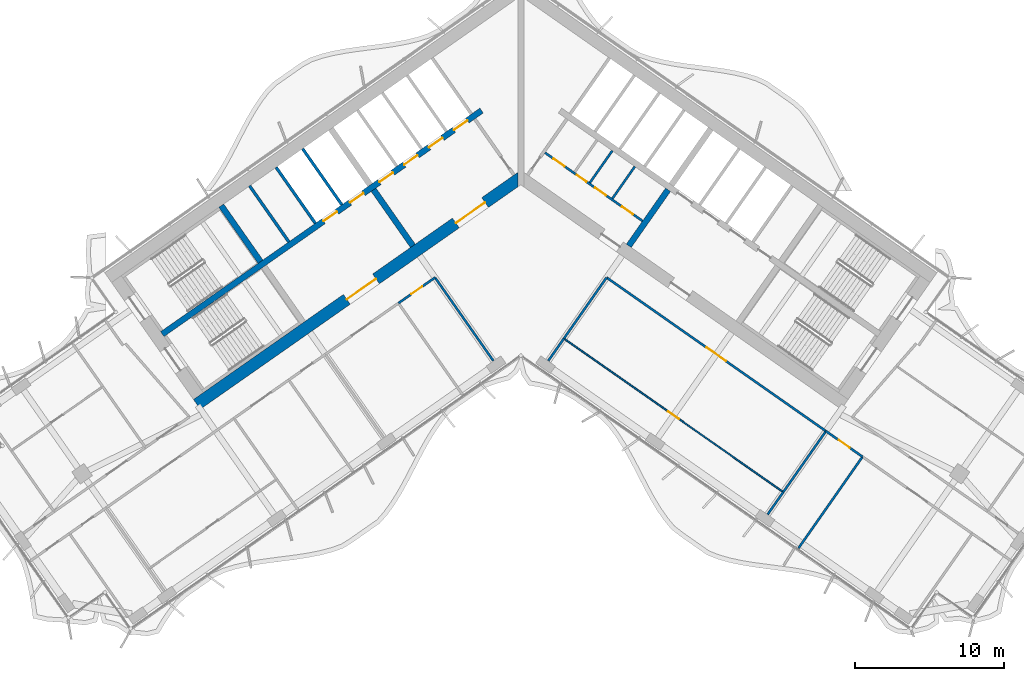
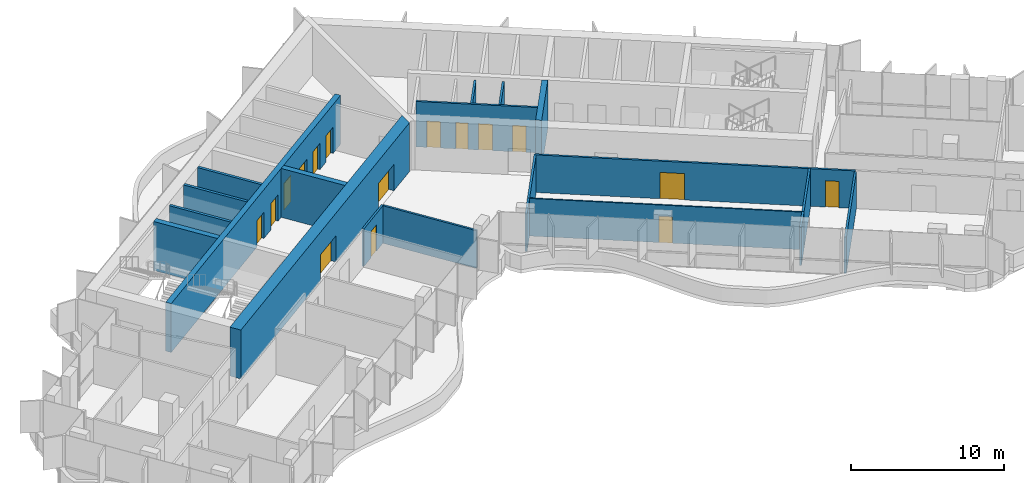
# One storey, part 15 of 23: 21 walls, 16 doors, 16 openings.
"""IFC4 building model written with IfcOpenShell, lengths in metres."""

from ifc_helpers import new_model, si_unit, direction, frame, frame_2d, origin, place, context, subcontext, project, spatial, polyline, rectangle, outline, extrude, material, layer, layer_set, type_object, element, fill, save


model = new_model("IFC4")

# Units and contexts
model_context = context("Model", 3, precision=1e-05, world=origin(), true_north=direction((0.0, 1.0)))
body_context = subcontext(model_context, "Body", "Model", "MODEL_VIEW")
ifc_project = project(units=[si_unit("LENGTHUNIT", "METRE"), si_unit("AREAUNIT", "SQUARE_METRE"), si_unit("VOLUMEUNIT", "CUBIC_METRE"), si_unit("PLANEANGLEUNIT", "RADIAN"), si_unit("MASSUNIT", "GRAM", prefix="KILO")], contexts=[model_context])

# Site, building, storey
site_placement = place(None, origin())
site = spatial("IfcSite", under=ifc_project, at=site_placement, CompositionType="ELEMENT")
building_placement = place(site_placement, origin())
building = spatial("IfcBuilding", under=site, at=building_placement, Name="Tel Ilan Convention Tower", CompositionType="ELEMENT")
storey_placement = place(building_placement, frame((0.0, 0.0, 182.699951171875)))
storey = spatial("IfcBuildingStorey", under=building, at=storey_placement, Name="L42", CompositionType="ELEMENT", Elevation=182.699951171875)

# Wall, openings, doors
ifc_material_1 = material(Name="Gypsum Plasterboard on Steel Stud", Category="steel")
ifc_layer_1 = layer(ifc_material_1, 0.14990234375)
ifc_layer_set_1 = layer_set([ifc_layer_1], Name="Core Room Partition Wall 150 mm EI 60")
wall_type_1 = type_object("IfcWallType", Name="Core Room Partition Wall 150 mm EI 60", PredefinedType="PARTITIONING", material=ifc_layer_set_1)
wall_1_placement = place(storey_placement, frame((1.63037109375, 0.93359375, 0.0), z_axis=(0.0, 0.0, 1.0), x_axis=(0.819165963305, -0.573556557423, 0.0)))
wall_1 = element("IfcWall", 1, at=wall_1_placement, inside=storey, type_object=wall_type_1, Name="L42 core wall wc-h1", PredefinedType="PARTITIONING", context=body_context, shape_type="SweptSolid", body=[
    extrude(rectangle(XDim=7.999755859375, YDim=0.14990234375, at=frame_2d((4.0, 0.0))), origin(), (0.0, 0.0, 1.0), 3.6201171875),
])
opening_1_placement = place(wall_1_placement, frame((0.699951171875, 0.0, 0.0)))
opening_1 = element("IfcOpeningElement", 2, at=opening_1_placement, cuts=wall_1, Name="Opening CD3210", PredefinedType="OPENING", context=body_context, shape_type="SweptSolid", body=[
    extrude(rectangle(XDim=0.89990234375, YDim=2.10009765625, at=frame_2d((0.449951171875, 1.050048828125))), frame((0.0, 0.0849609375, 0.0), z_axis=(0.0, -1.0, 0.0), x_axis=(1.0, 0.0, 0.0)), (0.0, 0.0, 1.0), 0.169921875),
])
opening_2_placement = place(wall_1_placement, frame((2.60009765625, 0.0, 0.0)))
opening_2 = element("IfcOpeningElement", 3, at=opening_2_placement, cuts=wall_1, Name="Opening CD3209", PredefinedType="OPENING", context=body_context, shape_type="SweptSolid", body=[
    extrude(rectangle(XDim=0.800048828125, YDim=2.10009765625, at=frame_2d((0.39990234375, 1.050048828125))), frame((0.0, 0.0849609375, 0.0), z_axis=(0.0, -1.0, 0.0), x_axis=(1.0, 0.0, 0.0)), (0.0, 0.0, 1.0), 0.169921875),
])
opening_3_placement = place(wall_1_placement, frame((4.10009765625, 0.0, 0.0)))
opening_3 = element("IfcOpeningElement", 4, at=opening_3_placement, cuts=wall_1, Name="Opening CD3208", PredefinedType="OPENING", context=body_context, shape_type="SweptSolid", body=[
    extrude(rectangle(XDim=0.89990234375, YDim=2.10009765625, at=frame_2d((0.449951171875, 1.050048828125))), frame((0.0, 0.0849609375, 0.0), z_axis=(0.0, -1.0, 0.0), x_axis=(1.0, 0.0, 0.0)), (0.0, 0.0, 1.0), 0.169921875),
])
opening_4_placement = place(wall_1_placement, frame((6.324951171875, 0.0, 0.0)))
opening_4 = element("IfcOpeningElement", 5, at=opening_4_placement, cuts=wall_1, Name="Opening CD3211", PredefinedType="OPENING", context=body_context, shape_type="SweptSolid", body=[
    extrude(rectangle(XDim=0.89990234375, YDim=2.10009765625, at=frame_2d((0.449951171875, 1.050048828125))), frame((0.0, 0.0849609375, 0.0), z_axis=(0.0, -1.0, 0.0), x_axis=(1.0, 0.0, 0.0)), (0.0, 0.0, 1.0), 0.169921875),
])
ifc_material_2 = material(Name="Galvanised Steel Door Leaf", Category="steel")
door_type_1 = type_object("IfcDoorType", Name="Store Door 800 x 2100 FD60", OperationType="NOTDEFINED", PredefinedType="DOOR", material=ifc_material_2)
door_1_placement = place(opening_2_placement, origin())
door_1 = element("IfcDoor", 6, at=door_1_placement, inside=storey, type_object=door_type_1, Name="Cleaner's store door", OperationType="SINGLE_SWING_RIGHT", OverallHeight=2.10009765625, OverallWidth=0.800048828125, PredefinedType="DOOR", context=body_context, shape_type="SweptSolid", body=[
    extrude(rectangle(XDim=0.800048828125, YDim=2.10009765625, at=frame_2d((0.39990234375, 1.050048828125))), frame((0.0, 0.02490234375, 0.0), z_axis=(0.0, -1.0, 0.0), x_axis=(1.0, 0.0, 0.0)), (0.0, 0.0, 1.0), 0.050048828125),
])
fill(opening_2, door_1)
ifc_material_3 = material(Name="Laminated Timber Door Leaf", Category="wood")
door_type_2 = type_object("IfcDoorType", Name="Toilet Door 900 x 2100 FD30S", OperationType="NOTDEFINED", PredefinedType="DOOR", material=ifc_material_3)
door_2_placement = place(opening_1_placement, origin())
door_2 = element("IfcDoor", 7, at=door_2_placement, inside=storey, type_object=door_type_2, Name="Men's WC door", OperationType="SINGLE_SWING_RIGHT", OverallHeight=2.10009765625, OverallWidth=0.89990234375, PredefinedType="DOOR", context=body_context, shape_type="SweptSolid", body=[
    extrude(rectangle(XDim=0.89990234375, YDim=2.10009765625, at=frame_2d((0.449951171875, 1.050048828125))), frame((0.0, 0.02490234375, 0.0), z_axis=(0.0, -1.0, 0.0), x_axis=(1.0, 0.0, 0.0)), (0.0, 0.0, 1.0), 0.050048828125),
])
fill(opening_1, door_2)
door_3_placement = place(opening_3_placement, origin())
door_3 = element("IfcDoor", 8, at=door_3_placement, inside=storey, type_object=door_type_2, Name="Accessible WC door", OperationType="SINGLE_SWING_RIGHT", OverallHeight=2.10009765625, OverallWidth=0.89990234375, PredefinedType="DOOR", context=body_context, shape_type="SweptSolid", body=[
    extrude(rectangle(XDim=0.89990234375, YDim=2.10009765625, at=frame_2d((0.449951171875, 1.050048828125))), frame((0.0, 0.02490234375, 0.0), z_axis=(0.0, -1.0, 0.0), x_axis=(1.0, 0.0, 0.0)), (0.0, 0.0, 1.0), 0.050048828125),
])
fill(opening_3, door_3)
door_4_placement = place(opening_4_placement, origin())
door_4 = element("IfcDoor", 9, at=door_4_placement, inside=storey, type_object=door_type_2, Name="Women's WC door", OperationType="SINGLE_SWING_RIGHT", OverallHeight=2.10009765625, OverallWidth=0.89990234375, PredefinedType="DOOR", context=body_context, shape_type="SweptSolid", body=[
    extrude(rectangle(XDim=0.89990234375, YDim=2.10009765625, at=frame_2d((0.449951171875, 1.050048828125))), frame((0.0, 0.02490234375, 0.0), z_axis=(0.0, -1.0, 0.0), x_axis=(1.0, 0.0, 0.0)), (0.0, 0.0, 1.0), 0.050048828125),
])
fill(opening_4, door_4)

# Walls
for number, where, z_axis, x_axis, name in (
    (10, (4.642822265625, -1.083984375, 0.0), (0.0, 0.0, 1.0), (0.573593425114, 0.819140148367, 0.0), "L42 core wall wc-v1"),
    (11, (6.158203125, -2.145263671875, 0.0), (0.0, 0.0, 1.0), (0.573549726504, 0.819170746076, 0.0), "L42 core wall wc-v2"),
):
    element("IfcWall", number, at=place(storey_placement, frame(where, z_axis=z_axis, x_axis=x_axis)), inside=storey, type_object=wall_type_1, Name=name, PredefinedType="PARTITIONING", context=body_context, shape_type="SweptSolid", body=[
        extrude(rectangle(XDim=2.625, YDim=0.14990234375, at=frame_2d((1.3125, 0.0))), origin(), (0.0, 0.0, 1.0), 3.6201171875),
    ])
ifc_material_4 = material(Name="Concrete C50/60", Category="concrete")
ifc_layer_2 = layer(ifc_material_4, 0.39990234375)
ifc_layer_set_2 = layer_set([ifc_layer_2], Name="Core Shear Wall 400 mm C50/60")
wall_type_2 = type_object("IfcWallType", Name="Core Shear Wall 400 mm C50/60", PredefinedType="SHEAR", material=ifc_layer_set_2)
wall_2_placement = place(storey_placement, frame((-7.2578125, -5.325927734375, 0.0), z_axis=(0.0, 0.0, 1.0), x_axis=(-0.573540709186, 0.819177059558, 0.0)))
element("IfcWall", 12, at=wall_2_placement, inside=storey, type_object=wall_type_2, Name="L42 core wall W-cross1-1", PredefinedType="SHEAR", context=body_context, shape_type="SweptSolid", body=[
    extrude(outline(polyline([(4.599853515625, 0.2001953125), (-0.000244140625, 0.199951171875), (-0.000244140625, -0.2001953125), (4.599853515625, -0.199951171875), (4.599853515625, 0.2001953125)])), origin(), (0.0, 0.0, 1.0), 3.900146484375),
])
wall_3_placement = place(storey_placement, frame((-17.497802734375, -6.392333984375, 0.0), z_axis=(0.0, 0.0, 1.0), x_axis=(-0.573611936273, 0.819127185829, 0.0)))
element("IfcWall", 13, at=wall_3_placement, inside=storey, type_object=wall_type_2, Name="L42 core wall W-cross2-2", PredefinedType="SHEAR", context=body_context, shape_type="SweptSolid", body=[
    extrude(outline(polyline([(4.599853515625, -0.2001953125), (4.599853515625, 0.199951171875), (0.0, 0.2001953125), (0.0, -0.199951171875), (4.599853515625, -0.2001953125)])), origin(), (0.0, 0.0, 1.0), 3.900146484375),
])

# Wall, openings, doors
wall_4_placement = place(storey_placement, frame((-2.638427734375, 3.76806640625, 0.0), z_axis=(0.0, 0.0, 1.0), x_axis=(-0.81915267502, -0.573575535572, 0.0)))
wall_4 = element("IfcWall", 14, at=wall_4_placement, inside=storey, type_object=wall_type_2, Name="L42 core wall W-spine", PredefinedType="SHEAR", context=body_context, shape_type="SweptSolid", body=[
    extrude(outline(polyline([(26.199951171875, 0.199951171875), (0.0, 0.199951171875), (0.0, -0.199951171875), (26.199951171875, -0.199951171875), (26.199951171875, 0.199951171875)])), origin(), (0.0, 0.0, 1.0), 3.900146484375),
])
opening_5_placement = place(wall_4_placement, frame((1.168701171875, 0.0, 0.0)))
opening_5 = element("IfcOpeningElement", 15, at=opening_5_placement, cuts=wall_4, Name="Opening LD3204", PredefinedType="OPENING", context=body_context, shape_type="SweptSolid", body=[
    extrude(rectangle(XDim=1.10009765625, YDim=2.10009765625, at=frame_2d((0.550048828125, 1.050048828125))), frame((0.0, 0.2099609375, 0.0), z_axis=(0.0, -1.0, 0.0), x_axis=(1.0, 0.0, 0.0)), (0.0, 0.0, 1.0), 0.419921875),
])
opening_6_placement = place(wall_4_placement, frame((3.206298828125, 0.0, 0.0)))
opening_6 = element("IfcOpeningElement", 16, at=opening_6_placement, cuts=wall_4, Name="Opening LD3205", PredefinedType="OPENING", context=body_context, shape_type="SweptSolid", body=[
    extrude(rectangle(XDim=1.10009765625, YDim=2.10009765625, at=frame_2d((0.550048828125, 1.050048828125))), frame((0.0, 0.2099609375, 0.0), z_axis=(0.0, -1.0, 0.0), x_axis=(1.0, 0.0, 0.0)), (0.0, 0.0, 1.0), 0.419921875),
])
opening_7_placement = place(wall_4_placement, frame((5.24365234375, 0.0, 0.0)))
opening_7 = element("IfcOpeningElement", 17, at=opening_7_placement, cuts=wall_4, Name="Opening LD3206", PredefinedType="OPENING", context=body_context, shape_type="SweptSolid", body=[
    extrude(rectangle(XDim=1.10009765625, YDim=2.10009765625, at=frame_2d((0.550048828125, 1.050048828125))), frame((0.0, 0.2099609375, 0.0), z_axis=(0.0, -1.0, 0.0), x_axis=(1.0, 0.0, 0.0)), (0.0, 0.0, 1.0), 0.419921875),
])
opening_8_placement = place(wall_4_placement, frame((7.28125, 0.0, 0.0)))
opening_8 = element("IfcOpeningElement", 18, at=opening_8_placement, cuts=wall_4, Name="Opening LD3207", PredefinedType="OPENING", context=body_context, shape_type="SweptSolid", body=[
    extrude(rectangle(XDim=1.10009765625, YDim=2.10009765625, at=frame_2d((0.550048828125, 1.050048828125))), frame((0.0, 0.2099609375, 0.0), z_axis=(0.0, -1.0, 0.0), x_axis=(1.0, 0.0, 0.0)), (0.0, 0.0, 1.0), 0.419921875),
])
opening_9_placement = place(wall_4_placement, frame((9.6875, 0.0, 0.0)))
opening_9 = element("IfcOpeningElement", 19, at=opening_9_placement, cuts=wall_4, Name="Opening LD3208", PredefinedType="OPENING", context=body_context, shape_type="SweptSolid", body=[
    extrude(rectangle(XDim=1.10009765625, YDim=2.10009765625, at=frame_2d((0.550048828125, 1.050048828125))), frame((0.0, 0.2099609375, 0.0), z_axis=(0.0, -1.0, 0.0), x_axis=(1.0, 0.0, 0.0)), (0.0, 0.0, 1.0), 0.419921875),
])
opening_10_placement = place(wall_4_placement, frame((11.862548828125, 0.0, 0.0)))
opening_10 = element("IfcOpeningElement", 20, at=opening_10_placement, cuts=wall_4, Name="Opening LD3209", PredefinedType="OPENING", context=body_context, shape_type="SweptSolid", body=[
    extrude(rectangle(XDim=1.10009765625, YDim=2.10009765625, at=frame_2d((0.550048828125, 1.050048828125))), frame((0.0, 0.2099609375, 0.0), z_axis=(0.0, -1.0, 0.0), x_axis=(1.0, 0.0, 0.0)), (0.0, 0.0, 1.0), 0.419921875),
])
ifc_material_5 = material(Name="Stainless Steel Sliding Door Leaf", Category="steel")
door_type_3 = type_object("IfcDoorType", Name="Lift Landing Door 1100 x 2100 FD120", OperationType="NOTDEFINED", PredefinedType="DOOR", material=ifc_material_5)
door_5_placement = place(opening_5_placement, origin())
door_5 = element("IfcDoor", 21, at=door_5_placement, inside=storey, type_object=door_type_3, Name="Lift LR1 landing door", OperationType="SLIDING_TO_LEFT", OverallHeight=2.10009765625, OverallWidth=1.10009765625, PredefinedType="DOOR", context=body_context, shape_type="SweptSolid", body=[
    extrude(rectangle(XDim=1.10009765625, YDim=2.10009765625, at=frame_2d((0.550048828125, 1.050048828125))), frame((0.0, 0.02490234375, 0.0), z_axis=(0.0, -1.0, 0.0), x_axis=(1.0, 0.0, 0.0)), (0.0, 0.0, 1.0), 0.050048828125),
])
fill(opening_5, door_5)
door_6_placement = place(opening_6_placement, origin())
door_6 = element("IfcDoor", 22, at=door_6_placement, inside=storey, type_object=door_type_3, Name="Lift LR2 landing door", OperationType="SLIDING_TO_RIGHT", OverallHeight=2.10009765625, OverallWidth=1.10009765625, PredefinedType="DOOR", context=body_context, shape_type="SweptSolid", body=[
    extrude(rectangle(XDim=1.10009765625, YDim=2.10009765625, at=frame_2d((0.550048828125, 1.050048828125))), frame((0.0, 0.02490234375, 0.0), z_axis=(0.0, -1.0, 0.0), x_axis=(1.0, 0.0, 0.0)), (0.0, 0.0, 1.0), 0.050048828125),
])
fill(opening_6, door_6)
door_7_placement = place(opening_7_placement, origin())
door_7 = element("IfcDoor", 23, at=door_7_placement, inside=storey, type_object=door_type_3, Name="Lift LR3 landing door", OperationType="SLIDING_TO_LEFT", OverallHeight=2.10009765625, OverallWidth=1.10009765625, PredefinedType="DOOR", context=body_context, shape_type="SweptSolid", body=[
    extrude(rectangle(XDim=1.10009765625, YDim=2.10009765625, at=frame_2d((0.550048828125, 1.050048828125))), frame((0.0, 0.02490234375, 0.0), z_axis=(0.0, -1.0, 0.0), x_axis=(1.0, 0.0, 0.0)), (0.0, 0.0, 1.0), 0.050048828125),
])
fill(opening_7, door_7)
door_8_placement = place(opening_8_placement, origin())
door_8 = element("IfcDoor", 24, at=door_8_placement, inside=storey, type_object=door_type_3, Name="Lift LR4 landing door", OperationType="SLIDING_TO_RIGHT", OverallHeight=2.10009765625, OverallWidth=1.10009765625, PredefinedType="DOOR", context=body_context, shape_type="SweptSolid", body=[
    extrude(rectangle(XDim=1.10009765625, YDim=2.10009765625, at=frame_2d((0.550048828125, 1.050048828125))), frame((0.0, 0.02490234375, 0.0), z_axis=(0.0, -1.0, 0.0), x_axis=(1.0, 0.0, 0.0)), (0.0, 0.0, 1.0), 0.050048828125),
])
fill(opening_8, door_8)
door_9_placement = place(opening_9_placement, origin())
door_9 = element("IfcDoor", 25, at=door_9_placement, inside=storey, type_object=door_type_3, Name="Lift LR5 landing door", OperationType="SLIDING_TO_LEFT", OverallHeight=2.10009765625, OverallWidth=1.10009765625, PredefinedType="DOOR", context=body_context, shape_type="SweptSolid", body=[
    extrude(rectangle(XDim=1.10009765625, YDim=2.10009765625, at=frame_2d((0.550048828125, 1.050048828125))), frame((0.0, 0.02490234375, 0.0), z_axis=(0.0, -1.0, 0.0), x_axis=(1.0, 0.0, 0.0)), (0.0, 0.0, 1.0), 0.050048828125),
])
fill(opening_9, door_9)
door_10_placement = place(opening_10_placement, origin())
door_10 = element("IfcDoor", 26, at=door_10_placement, inside=storey, type_object=door_type_3, Name="Lift LR6 landing door", OperationType="SLIDING_TO_RIGHT", OverallHeight=2.10009765625, OverallWidth=1.10009765625, PredefinedType="DOOR", context=body_context, shape_type="SweptSolid", body=[
    extrude(rectangle(XDim=1.10009765625, YDim=2.10009765625, at=frame_2d((0.550048828125, 1.050048828125))), frame((0.0, 0.02490234375, 0.0), z_axis=(0.0, -1.0, 0.0), x_axis=(1.0, 0.0, 0.0)), (0.0, 0.0, 1.0), 0.050048828125),
])
fill(opening_10, door_10)

# Wall
wall_5_placement = place(storey_placement, frame((7.2578125, -5.325927734375, 0.0), z_axis=(0.0, 0.0, 1.0), x_axis=(0.573540709186, 0.819177059558, 0.0)))
element("IfcWall", 27, at=wall_5_placement, inside=storey, type_object=wall_type_2, Name="L42 core wall E-cross1-1", PredefinedType="SHEAR", context=body_context, shape_type="SweptSolid", body=[
    extrude(outline(polyline([(-0.000244140625, 0.2001953125), (-0.000244140625, -0.199951171875), (4.599853515625, -0.2001953125), (4.599853515625, 0.199951171875), (-0.000244140625, 0.2001953125)])), origin(), (0.0, 0.0, 1.0), 3.900146484375),
])

# Wall, openings, doors
ifc_material_6 = material(Name="Concrete C50/60", Category="concrete")
ifc_layer_3 = layer(ifc_material_6, 0.800048828125)
ifc_layer_set_3 = layer_set([ifc_layer_3], Name="Core Shear Wall 800 mm C50/60")
wall_type_3 = type_object("IfcWallType", Name="Core Shear Wall 800 mm C50/60", PredefinedType="SHEAR", material=ifc_layer_set_3)
wall_6_placement = place(storey_placement, frame((0.029296875, -0.7119140625, 0.0), z_axis=(0.0, 0.0, 1.0), x_axis=(-0.819151758019, -0.573576845187, 0.0)))
wall_6 = element("IfcWall", 28, at=wall_6_placement, inside=storey, type_object=wall_type_3, Name="L42 core wall W-front", PredefinedType="SHEAR", context=body_context, shape_type="SweptSolid", body=[
    extrude(outline(polyline([(26.61572265625, 0.39990234375), (0.56005859375, 0.39990234375), (-0.000244140625, -0.39990234375), (26.61572265625, -0.39990234375), (26.61572265625, 0.39990234375)])), origin(), (0.0, 0.0, 1.0), 3.900146484375),
])
opening_11_placement = place(wall_6_placement, frame((2.9658203125, 0.0, 0.0)))
opening_11 = element("IfcOpeningElement", 29, at=opening_11_placement, cuts=wall_6, Name="Opening CD3205", PredefinedType="OPENING", context=body_context, shape_type="SweptSolid", body=[
    extrude(rectangle(XDim=2.39990234375, YDim=2.10009765625, at=frame_2d((1.199951171875, 1.050048828125))), frame((0.0, 0.409912109375, 0.0), z_axis=(0.0, -1.0, 0.0), x_axis=(1.0, 0.0, 0.0)), (0.0, 0.0, 1.0), 0.820068359375),
])
opening_12_placement = place(wall_6_placement, frame((11.915771484375, 0.0, 0.0)))
opening_12 = element("IfcOpeningElement", 30, at=opening_12_placement, cuts=wall_6, Name="Opening CD3206", PredefinedType="OPENING", context=body_context, shape_type="SweptSolid", body=[
    extrude(rectangle(XDim=2.39990234375, YDim=2.10009765625, at=frame_2d((1.199951171875, 1.050048828125))), frame((0.0, 0.409912109375, 0.0), z_axis=(0.0, -1.0, 0.0), x_axis=(1.0, 0.0, 0.0)), (0.0, 0.0, 1.0), 0.820068359375),
])
ifc_material_7 = material(Name="Glazed Aluminium Door Leaf", Category="aluminium")
door_type_4 = type_object("IfcDoorType", Name="Lobby Opening Door 2400 x 2100 FD60S", OperationType="NOTDEFINED", PredefinedType="DOOR", material=ifc_material_7)
door_11_placement = place(opening_11_placement, origin())
door_11 = element("IfcDoor", 31, at=door_11_placement, inside=storey, type_object=door_type_4, Name="Lift Lobby LR1-LR4 opening", OperationType="DOUBLE_DOOR_SINGLE_SWING", OverallHeight=2.10009765625, OverallWidth=2.39990234375, PredefinedType="DOOR", context=body_context, shape_type="SweptSolid", body=[
    extrude(rectangle(XDim=2.39990234375, YDim=2.10009765625, at=frame_2d((1.199951171875, 1.050048828125))), frame((0.0, 0.02490234375, 0.0), z_axis=(0.0, -1.0, 0.0), x_axis=(1.0, 0.0, 0.0)), (0.0, 0.0, 1.0), 0.050048828125),
])
fill(opening_11, door_11)
door_12_placement = place(opening_12_placement, origin())
door_12 = element("IfcDoor", 32, at=door_12_placement, inside=storey, type_object=door_type_4, Name="Lift Lobby LR5-LR6 opening", OperationType="DOUBLE_DOOR_SINGLE_SWING", OverallHeight=2.10009765625, OverallWidth=2.39990234375, PredefinedType="DOOR", context=body_context, shape_type="SweptSolid", body=[
    extrude(rectangle(XDim=2.39990234375, YDim=2.10009765625, at=frame_2d((1.199951171875, 1.050048828125))), frame((0.0, 0.02490234375, 0.0), z_axis=(0.0, -1.0, 0.0), x_axis=(1.0, 0.0, 0.0)), (0.0, 0.0, 1.0), 0.050048828125),
])
fill(opening_12, door_12)

# Wall, opening, door
ifc_material_8 = material(Name="Plasterboard on Steel Studs", Category="steel")
ifc_layer_4 = layer(ifc_material_8, 0.14990234375)
ifc_layer_set_4 = layer_set([ifc_layer_4], Name="Fire-rated Partition 150 EI 60")
wall_type_4 = type_object("IfcWallType", Name="Fire-rated Partition 150 EI 60", PredefinedType="PARTITIONING", material=ifc_layer_set_4)
wall_7_placement = place(storey_placement, frame((20.5126953125, -17.781494140625, 0.0), z_axis=(0.0, 0.0, 1.0), x_axis=(-0.819147172988, 0.573583393228, 0.0)))
wall_7 = element("IfcWall", 33, at=wall_7_placement, inside=storey, type_object=wall_type_4, Name="Partition 003", PredefinedType="PARTITIONING", context=body_context, shape_type="SweptSolid", body=[
    extrude(rectangle(XDim=18.001953125, YDim=0.14990234375, at=frame_2d((9.0009765625, 0.0))), origin(), (0.0, 0.0, 1.0), 3.0),
])
opening_13_placement = place(wall_7_placement, frame((8.200927734375, 0.0, 0.0)))
opening_13 = element("IfcOpeningElement", 34, at=opening_13_placement, cuts=wall_7, Name="Opening L42-013", PredefinedType="OPENING", context=body_context, shape_type="SweptSolid", body=[
    extrude(rectangle(XDim=1.60009765625, YDim=2.10009765625, at=frame_2d((0.800048828125, 1.050048828125))), frame((0.0, 0.0849609375, 0.0), z_axis=(0.0, -1.0, 0.0), x_axis=(1.0, 0.0, 0.0)), (0.0, 0.0, 1.0), 0.169921875),
])
ifc_material_9 = material(Name="Timber Door Leaf in Steel Frame", Category="steel")
door_type_5 = type_object("IfcDoorType", Name="Tenant Suite Entrance Fire Door 1600x2100", OperationType="NOTDEFINED", PredefinedType="DOOR", material=ifc_material_9)
door_13_placement = place(opening_13_placement, origin())
door_13 = element("IfcDoor", 35, at=door_13_placement, inside=storey, type_object=door_type_5, Name="Door L42-013", OperationType="DOUBLE_DOOR_SINGLE_SWING", OverallHeight=2.10009765625, OverallWidth=1.60009765625, PredefinedType="DOOR", context=body_context, shape_type="SweptSolid", body=[
    extrude(rectangle(XDim=1.60009765625, YDim=2.10009765625, at=frame_2d((0.800048828125, 1.050048828125))), frame((0.0, 0.02490234375, 0.0), z_axis=(0.0, -1.0, 0.0), x_axis=(1.0, 0.0, 0.0)), (0.0, 0.0, 1.0), 0.050048828125),
])
fill(opening_13, door_13)

wall_8_placement = place(storey_placement, frame((22.97021484375, -19.502197265625, 0.0), z_axis=(0.0, 0.0, 1.0), x_axis=(-0.819128818764, 0.573609604409, 0.0)))
wall_8 = element("IfcWall", 36, at=wall_8_placement, inside=storey, type_object=wall_type_4, Name="Partition 004", PredefinedType="PARTITIONING", context=body_context, shape_type="SweptSolid", body=[
    extrude(rectangle(XDim=3.004150390625, YDim=0.14990234375, at=frame_2d((1.501953125, 0.0))), origin(), (0.0, 0.0, 1.0), 3.0),
])
opening_14_placement = place(wall_8_placement, frame((1.052001953125, 0.0, 0.0)))
opening_14 = element("IfcOpeningElement", 37, at=opening_14_placement, cuts=wall_8, Name="Opening L42-015", PredefinedType="OPENING", context=body_context, shape_type="SweptSolid", body=[
    extrude(rectangle(XDim=0.89990234375, YDim=2.10009765625, at=frame_2d((0.449951171875, 1.050048828125))), frame((0.0, 0.0849609375, 0.0), z_axis=(0.0, -1.0, 0.0), x_axis=(1.0, 0.0, 0.0)), (0.0, 0.0, 1.0), 0.169921875),
])
ifc_material_10 = material(Name="Timber Door Leaf in Steel Frame", Category="steel")
door_type_6 = type_object("IfcDoorType", Name="Room Fire Door 900x2100", OperationType="NOTDEFINED", PredefinedType="DOOR", material=ifc_material_10)
door_14_placement = place(opening_14_placement, origin())
door_14 = element("IfcDoor", 38, at=door_14_placement, inside=storey, type_object=door_type_6, Name="Door L42-015", OperationType="SINGLE_SWING_RIGHT", OverallHeight=2.10009765625, OverallWidth=0.89990234375, PredefinedType="DOOR", context=body_context, shape_type="SweptSolid", body=[
    extrude(rectangle(XDim=0.89990234375, YDim=2.10009765625, at=frame_2d((0.449951171875, 1.050048828125))), frame((0.0, 0.02490234375, 0.0), z_axis=(0.0, -1.0, 0.0), x_axis=(1.0, 0.0, 0.0)), (0.0, 0.0, 1.0), 0.050048828125),
])
fill(opening_14, door_14)

wall_9_placement = place(storey_placement, frame((-5.766357421875, -7.455810546875, 0.0), z_axis=(0.0, 0.0, 1.0), x_axis=(-0.819132568355, -0.573604249862, 0.0)))
wall_9 = element("IfcWall", 39, at=wall_9_placement, inside=storey, type_object=wall_type_4, Name="Partition 010", PredefinedType="PARTITIONING", context=body_context, shape_type="SweptSolid", body=[
    extrude(rectangle(XDim=3.001953125, YDim=0.14990234375, at=frame_2d((1.5009765625, 0.0))), origin(), (0.0, 0.0, 1.0), 3.0),
])
opening_15_placement = place(wall_9_placement, frame((1.051025390625, 0.0, 0.0)))
opening_15 = element("IfcOpeningElement", 40, at=opening_15_placement, cuts=wall_9, Name="Opening L42-001", PredefinedType="OPENING", context=body_context, shape_type="SweptSolid", body=[
    extrude(rectangle(XDim=0.89990234375, YDim=2.10009765625, at=frame_2d((0.449951171875, 1.050048828125))), frame((0.0, 0.0849609375, 0.0), z_axis=(0.0, -1.0, 0.0), x_axis=(1.0, 0.0, 0.0)), (0.0, 0.0, 1.0), 0.169921875),
])
door_15_placement = place(opening_15_placement, origin())
door_15 = element("IfcDoor", 41, at=door_15_placement, inside=storey, type_object=door_type_6, Name="Door L42-001", OperationType="SINGLE_SWING_RIGHT", OverallHeight=2.10009765625, OverallWidth=0.89990234375, PredefinedType="DOOR", context=body_context, shape_type="SweptSolid", body=[
    extrude(rectangle(XDim=0.89990234375, YDim=2.10009765625, at=frame_2d((0.449951171875, 1.050048828125))), frame((0.0, 0.02490234375, 0.0), z_axis=(0.0, -1.0, 0.0), x_axis=(1.0, 0.0, 0.0)), (0.0, 0.0, 1.0), 0.050048828125),
])
fill(opening_15, door_15)

# Walls
wall_10_placement = place(storey_placement, frame((17.642578125, -21.876708984375, 0.0), z_axis=(0.0, 0.0, 1.0), x_axis=(-0.573560882037, -0.819162935317, 0.0)))
element("IfcWall", 42, at=wall_10_placement, inside=storey, type_object=wall_type_4, Name="Partition 024", PredefinedType="PARTITIONING", context=body_context, shape_type="SweptSolid", body=[
    extrude(rectangle(XDim=1.8291015625, YDim=0.14990234375, at=frame_2d((0.91455078125, 0.0))), origin(), (0.0, 0.0, 1.0), 3.0),
])
wall_11_placement = place(storey_placement, frame((1.848876953125, -13.050537109375, 0.0), z_axis=(0.0, 0.0, 1.0), x_axis=(0.573623601139, 0.819119017125, 0.0)))
element("IfcWall", 43, at=wall_11_placement, inside=storey, type_object=wall_type_4, Name="Partition 025", PredefinedType="PARTITIONING", context=body_context, shape_type="SweptSolid", body=[
    extrude(rectangle(XDim=1.828857421875, YDim=0.14990234375, at=frame_2d((0.91455078125, 0.0))), origin(), (0.0, 0.0, 1.0), 3.0),
])
wall_12_placement = place(storey_placement, frame((20.510986328125, -17.7802734375, 0.0), z_axis=(0.0, 0.0, 1.0), x_axis=(-0.573554101347, -0.819167682973, 0.0)))
element("IfcWall", 44, at=wall_12_placement, inside=storey, type_object=wall_type_4, Name="Partition 026", PredefinedType="PARTITIONING", context=body_context, shape_type="SweptSolid", body=[
    extrude(rectangle(XDim=4.999755859375, YDim=0.14990234375, at=frame_2d((2.5, 0.0))), origin(), (0.0, 0.0, 1.0), 3.0),
])
wall_13_placement = place(storey_placement, frame((2.8984375, -11.551513671875, 0.0), z_axis=(0.0, 0.0, 1.0), x_axis=(0.573586866468, 0.819144740944, 0.0)))
element("IfcWall", 45, at=wall_13_placement, inside=storey, type_object=wall_type_4, Name="Partition 027", PredefinedType="PARTITIONING", context=body_context, shape_type="SweptSolid", body=[
    extrude(rectangle(XDim=5.0, YDim=0.14990234375, at=frame_2d((2.5, 0.0))), origin(), (0.0, 0.0, 1.0), 3.0),
])
wall_14_placement = place(storey_placement, frame((22.968505859375, -19.5009765625, 0.0), z_axis=(0.0, 0.0, 1.0), x_axis=(-0.573575945067, -0.81915238829, 0.0)))
element("IfcWall", 46, at=wall_14_placement, inside=storey, type_object=wall_type_4, Name="Partition 028", PredefinedType="PARTITIONING", context=body_context, shape_type="SweptSolid", body=[
    extrude(rectangle(XDim=7.5, YDim=0.14990234375, at=frame_2d((3.75, 0.0))), origin(), (0.0, 0.0, 1.0), 2.900146484375),
])
wall_15_placement = place(storey_placement, frame((-1.848876953125, -13.050537109375, 0.0), z_axis=(0.0, 0.0, 1.0), x_axis=(-0.57357985571, 0.819149650018, 0.0)))
element("IfcWall", 47, at=wall_15_placement, inside=storey, type_object=wall_type_4, Name="Partition 030", PredefinedType="PARTITIONING", context=body_context, shape_type="SweptSolid", body=[
    extrude(rectangle(XDim=6.83203125, YDim=0.14990234375, at=frame_2d((3.416015625, 0.0))), origin(), (0.0, 0.0, 1.0), 3.0),
])
ifc_material_11 = material(Name="Concrete C30/37", Category="concrete")
ifc_layer_5 = layer(ifc_material_11, 0.199951171875)
ifc_layer_set_5 = layer_set([ifc_layer_5], Name="Lift Shaft Wall 200 mm C30/37")
wall_type_5 = type_object("IfcWallType", Name="Lift Shaft Wall 200 mm C30/37", PredefinedType="SOLIDWALL", material=ifc_layer_set_5)
for number, where, z_axis, x_axis, name in (
    (48, (-12.030029296875, -2.563720703125, 0.0), (0.0, 0.0, 1.0), (-0.573576324356, 0.819152122709, 0.0), "L42 core wall bank-W2-p0"),
    (49, (-13.811767578125, -3.811279296875, 0.0), (0.0, 0.0, 1.0), (-0.573576324356, 0.819152122709, 0.0), "L42 core wall bank-W2-p1"),
):
    element("IfcWall", number, at=place(storey_placement, frame(where, z_axis=z_axis, x_axis=x_axis)), inside=storey, type_object=wall_type_5, Name=name, PredefinedType="SOLIDWALL", context=body_context, shape_type="SweptSolid", body=[
        extrude(rectangle(XDim=4.599853515625, YDim=0.199951171875, at=frame_2d((2.2998046875, 0.0))), origin(), (0.0, 0.0, 1.0), 3.900146484375),
    ])
wall_16_placement = place(storey_placement, frame((-15.593505859375, -5.058837890625, 0.0), z_axis=(0.0, 0.0, 1.0), x_axis=(-0.573540709186, 0.819177059558, 0.0)))
element("IfcWall", 50, at=wall_16_placement, inside=storey, type_object=wall_type_5, Name="L42 core wall bank-W2-p2", PredefinedType="SOLIDWALL", context=body_context, shape_type="SweptSolid", body=[
    extrude(rectangle(XDim=4.599853515625, YDim=0.199951171875, at=frame_2d((2.2998046875, 0.0))), origin(), (0.0, 0.0, 1.0), 3.6201171875),
])

# Wall, opening, door
ifc_material_12 = material(Name="Plasterboard on Steel Studs", Category="steel")
ifc_layer_6 = layer(ifc_material_12, 0.10009765625)
ifc_layer_set_6 = layer_set([ifc_layer_6], Name="Plasterboard Partition 100")
wall_type_6 = type_object("IfcWallType", Name="Plasterboard Partition 100", PredefinedType="PARTITIONING", material=ifc_layer_set_6)
wall_17_placement = place(storey_placement, frame((17.642578125, -21.876708984375, 0.0), z_axis=(0.0, 0.0, 1.0), x_axis=(-0.819154173185, 0.573573395961, 0.0)))
wall_17 = element("IfcWall", 51, at=wall_17_placement, inside=storey, type_object=wall_type_6, Name="Partition 023", PredefinedType="PARTITIONING", context=body_context, shape_type="SweptSolid", body=[
    extrude(rectangle(XDim=17.999755859375, YDim=0.10009765625, at=frame_2d((9.0, 0.0))), origin(), (0.0, 0.0, 1.0), 3.0),
])
opening_16_placement = place(wall_17_placement, frame((8.550048828125, 0.0, 0.0)))
opening_16 = element("IfcOpeningElement", 52, at=opening_16_placement, cuts=wall_17, Name="Opening L42-014", PredefinedType="OPENING", context=body_context, shape_type="SweptSolid", body=[
    extrude(rectangle(XDim=0.89990234375, YDim=2.10009765625, at=frame_2d((0.449951171875, 1.050048828125))), frame((0.0, 0.06005859375, 0.0), z_axis=(0.0, -1.0, 0.0), x_axis=(1.0, 0.0, 0.0)), (0.0, 0.0, 1.0), 0.1201171875),
])
ifc_material_13 = material(Name="Timber Door Leaf in Steel Frame", Category="steel")
door_type_7 = type_object("IfcDoorType", Name="Room Timber Door 900x2100", OperationType="NOTDEFINED", PredefinedType="DOOR", material=ifc_material_13)
door_16_placement = place(opening_16_placement, origin())
door_16 = element("IfcDoor", 53, at=door_16_placement, inside=storey, type_object=door_type_7, Name="Door L42-014", OperationType="SINGLE_SWING_RIGHT", OverallHeight=2.10009765625, OverallWidth=0.89990234375, PredefinedType="DOOR", context=body_context, shape_type="SweptSolid", body=[
    extrude(rectangle(XDim=0.89990234375, YDim=2.10009765625, at=frame_2d((0.449951171875, 1.050048828125))), frame((0.0, 0.02490234375, 0.0), z_axis=(0.0, -1.0, 0.0), x_axis=(1.0, 0.0, 0.0)), (0.0, 0.0, 1.0), 0.050048828125),
])
fill(opening_16, door_16)

save(model, "model.ifc")
